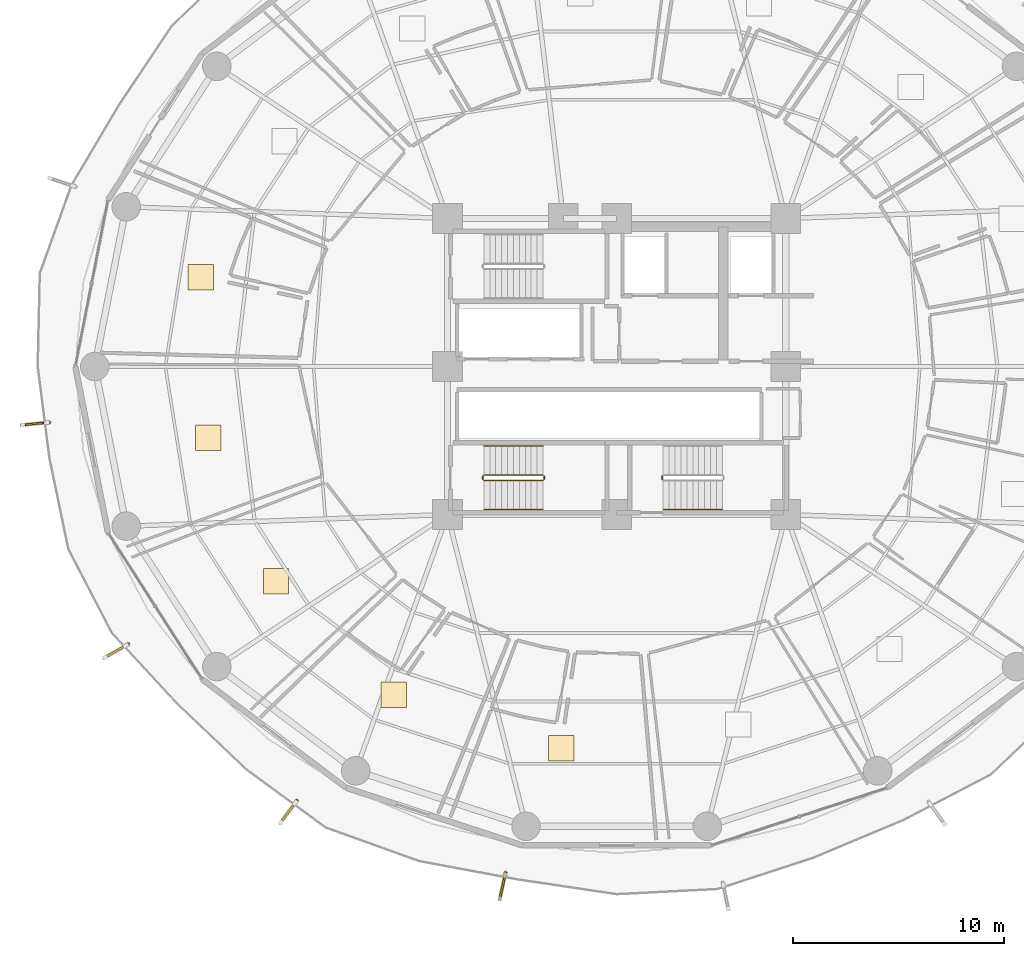
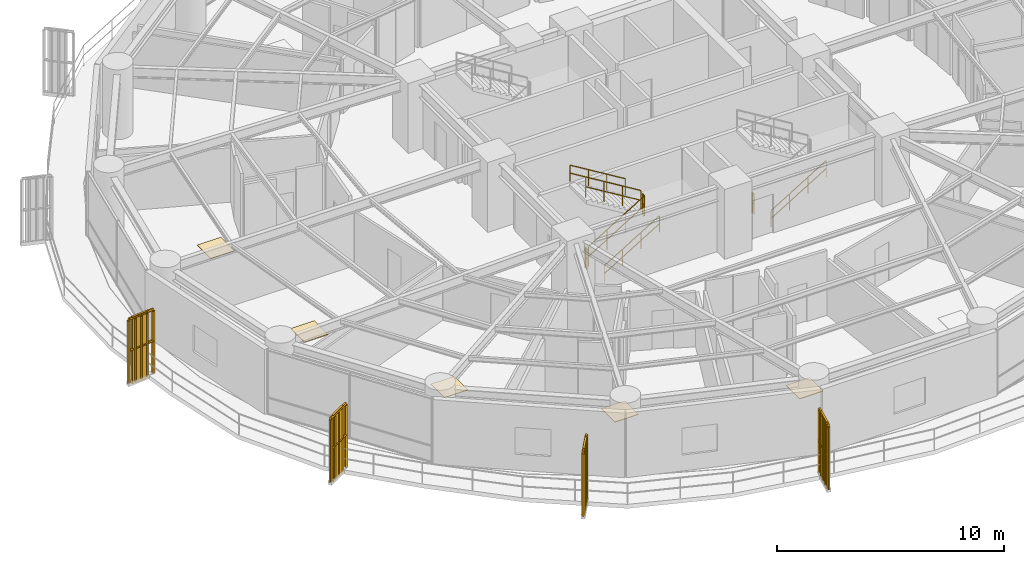
# One storey, part 30 of 33: 12 railings, 5 coverings, 4 shading devices.
"""IFC4 building model written with IfcOpenShell, lengths in metres."""

import ifcopenshell
import ifcopenshell.guid

model = None  # the IFC model being written
_history = None  # IfcOwnerHistory: only IFC2X3 demands one
_inside = {}  # id of a spatial element -> (the spatial element, [elements in it])
_under = {}  # id of a project, library or spatial element -> (it, [spatial elements below it])
_declared = {}  # id of a project -> (the project, [libraries it declares])
_typed = {}  # id of a type object -> (the type object, [elements of that type])
_made_of = {}  # id of a material, layer set ... -> (it, [elements and type objects made of it])


def new_model(schema):
    """Start an empty IFC model of exactly this schema.

    Asked for "IFC4X3", IfcOpenShell would pick the latest addendum, in which some entities
    have other attributes; the version numbers below select the first issue.
    IFC2X3 requires an IfcOwnerHistory on every rooted entity: one is made here for all.
    """
    global model, _history
    if schema == "IFC4X3":
        model = ifcopenshell.file(schema_version=(4, 3, 0, 0))
    else:
        model = ifcopenshell.file(schema=schema)
    _inside.clear()
    _under.clear()
    _declared.clear()
    _typed.clear()
    _made_of.clear()
    _history = None
    if model.schema == "IFC2X3":
        org = make("IfcOrganization", Name="unknown")
        user = make(
            "IfcPersonAndOrganization",
            ThePerson=make("IfcPerson", FamilyName="unknown"),
            TheOrganization=org,
        )
        app = make(
            "IfcApplication",
            ApplicationDeveloper=org,
            Version="unknown",
            ApplicationFullName="unknown",
            ApplicationIdentifier="unknown",
        )
        _history = make(
            "IfcOwnerHistory",
            OwningUser=user,
            OwningApplication=app,
            ChangeAction="ADDED",
            CreationDate=0,
        )
    return model


def make(cls, **values):
    """One entity of the class cls with the attributes given. An attribute that is None is left unset."""
    return model.create_entity(
        cls, **{name: value for name, value in values.items() if value is not None}
    )


def rooted(cls, **values):
    """An entity with a GlobalId (a new one), such as an element, a storey or a relation."""
    return make(cls, GlobalId=ifcopenshell.guid.new(), OwnerHistory=_history, **values)


def si_unit(unit_type, name, prefix=None):
    """IfcSIUnit, for example si_unit("LENGTHUNIT", "METRE", prefix="MILLI")."""
    return make("IfcSIUnit", UnitType=unit_type, Prefix=prefix, Name=name)


def assignment(units):
    """IfcUnitAssignment: the units of a project."""
    return None if units is None else make("IfcUnitAssignment", Units=units)


def point(xyz):
    """IfcCartesianPoint."""
    return None if xyz is None else make("IfcCartesianPoint", Coordinates=xyz)


def direction(xyz):
    """IfcDirection."""
    return None if xyz is None else make("IfcDirection", DirectionRatios=xyz)


def frame(location, z_axis=None, x_axis=None):
    """IfcAxis2Placement3D, a coordinate frame: its origin and axes. An axis left out is left unset."""
    return make(
        "IfcAxis2Placement3D",
        Location=point(location),
        Axis=direction(z_axis),
        RefDirection=direction(x_axis),
    )


def frame_2d(location, x_axis=None):
    """IfcAxis2Placement2D, a coordinate frame in the plane: its origin and x axis."""
    return make(
        "IfcAxis2Placement2D", Location=point(location), RefDirection=direction(x_axis)
    )


def origin():
    """The frame at (0, 0, 0) with its axes left unset."""
    return frame((0.0, 0.0, 0.0))


def origin_2d():
    """The frame at (0, 0) in the plane with its x axis left unset."""
    return frame_2d((0.0, 0.0))


def place(relative_to, where):
    """IfcLocalPlacement: puts the frame where relative to a parent placement (None: the world)."""
    return make(
        "IfcLocalPlacement", PlacementRelTo=relative_to, RelativePlacement=where
    )


def context(
    kind, dimensions, precision=None, world=None, true_north=None, identifier=None
):
    """IfcGeometricRepresentationContext, for example the 3D "Model" context."""
    return make(
        "IfcGeometricRepresentationContext",
        ContextIdentifier=identifier,
        ContextType=kind,
        CoordinateSpaceDimension=dimensions,
        Precision=precision,
        WorldCoordinateSystem=world,
        TrueNorth=true_north,
    )


def subcontext(parent, identifier, kind, view, scale=None):
    """IfcGeometricRepresentationSubContext, for example "Body" below "Model"."""
    return make(
        "IfcGeometricRepresentationSubContext",
        ContextIdentifier=identifier,
        ContextType=kind,
        ParentContext=parent,
        TargetScale=scale,
        TargetView=view,
    )


def project(units=None, contexts=None):
    """IfcProject with its units and contexts."""
    return rooted(
        "IfcProject",
        Name="project",
        RepresentationContexts=contexts,
        UnitsInContext=assignment(units),
    )


def spatial(cls, under=None, at=None, **own):
    """A site, building, storey or space (cls), placed at a placement, below another one or the project."""
    s = rooted(cls, ObjectPlacement=at, **own)
    if under is not None:
        _under.setdefault(under.id(), (under, []))[1].append(s)
    return s


def polyline(points):
    """IfcPolyline through the points."""
    return make("IfcPolyline", Points=[point(p) for p in points])


def profile(cls, at=None, kind="AREA", **sizes):
    """A parametric profile (cls). Its sizes go by their IFC names, for example OverallWidth=200.0."""
    return make(cls, ProfileType=kind, Position=at, **sizes)


def rectangle(**sizes):
    """IfcRectangleProfileDef."""
    return profile("IfcRectangleProfileDef", **sizes)


def outline(outer, holes=None, kind="AREA"):
    """IfcArbitraryClosedProfileDef: a profile drawn as a closed curve; with holes, ...WithVoids."""
    if holes is None:
        return make("IfcArbitraryClosedProfileDef", ProfileType=kind, OuterCurve=outer)
    return make(
        "IfcArbitraryProfileDefWithVoids",
        ProfileType=kind,
        OuterCurve=outer,
        InnerCurves=holes,
    )


def extrude(swept, where, along, depth):
    """IfcExtrudedAreaSolid: the profile swept, set in the frame where, extruded along a direction by depth."""
    return make(
        "IfcExtrudedAreaSolid",
        SweptArea=swept,
        Position=where,
        ExtrudedDirection=direction(along),
        Depth=depth,
    )


def shape(context_of_items, identifier, shape_type, items):
    """IfcShapeRepresentation: the items that make up one representation, for example the "Body"."""
    return make(
        "IfcShapeRepresentation",
        ContextOfItems=context_of_items,
        RepresentationIdentifier=identifier,
        RepresentationType=shape_type,
        Items=items,
    )


def source(mapping_origin, context_of_items, identifier, shape_type, items):
    """IfcRepresentationMap: a shape defined once, which mapped items show again and again."""
    return make(
        "IfcRepresentationMap",
        MappingOrigin=mapping_origin,
        MappedRepresentation=shape(context_of_items, identifier, shape_type, items),
    )


def transform(
    local_origin,
    x_axis=None,
    y_axis=None,
    z_axis=None,
    scale=None,
    scale2=None,
    scale3=None,
    uniform=True,
):
    """IfcCartesianTransformationOperator3D, or its non-uniform kind. x_axis, y_axis, z_axis: its Axis1, 2, 3."""
    if uniform:
        return make(
            "IfcCartesianTransformationOperator3D",
            Axis1=direction(x_axis),
            Axis2=direction(y_axis),
            LocalOrigin=point(local_origin),
            Scale=scale,
            Axis3=direction(z_axis),
        )
    return make(
        "IfcCartesianTransformationOperator3DnonUniform",
        Axis1=direction(x_axis),
        Axis2=direction(y_axis),
        LocalOrigin=point(local_origin),
        Scale=scale,
        Axis3=direction(z_axis),
        Scale2=scale2,
        Scale3=scale3,
    )


def mapped(mapping_source, mapping_target):
    """IfcMappedItem: shows the shape of a source again, moved by a transform."""
    return make(
        "IfcMappedItem", MappingSource=mapping_source, MappingTarget=mapping_target
    )


def material(Name=None, Category=None):
    """IfcMaterial."""
    return make("IfcMaterial", Name=Name, Category=Category)


def layer(
    of_material, thickness, ventilated=None, Name=None, Category=None, Priority=None
):
    """IfcMaterialLayer: one layer of a wall or slab, of a material (None: an air gap)."""
    return make(
        "IfcMaterialLayer",
        Material=of_material,
        LayerThickness=thickness,
        IsVentilated=ventilated,
        Name=Name,
        Category=Category,
        Priority=Priority,
    )


def layer_set(layers, Name=None):
    """IfcMaterialLayerSet."""
    return make("IfcMaterialLayerSet", MaterialLayers=layers, LayerSetName=Name)


def made_of(thing, what):
    """Note that an element or type object is made of a material, layer set ...; save() writes the relation."""
    if what is not None:
        _made_of.setdefault(what.id(), (what, []))[1].append(thing)
    return thing


def type_object(cls, material=None, **own):
    """A type object (cls), such as IfcWallType, which elements share."""
    return made_of(rooted(cls, **own), material)


def element(
    cls,
    number,
    at=None,
    inside=None,
    cuts=None,
    type_object=None,
    material=None,
    context=None,
    identifier="Body",
    shape_type=None,
    held_by="IfcProductDefinitionShape",
    body=None,
    shapes=None,
    **own,
):
    """One element of the class cls, such as IfcWall. Its Tag is "e" and its number.

    at: its placement. inside: the storey or other place that contains it. cuts: it is an
    opening in that element (IfcRelVoidsElement). A single representation is given by context,
    identifier, shape_type and body (its items); several are given by shapes. held_by: the class
    of the entity that holds the representations. save() writes the other relations.
    """
    e = rooted(cls, Tag="e%d" % number, ObjectPlacement=at, **own)
    if body is not None:
        shapes = [shape(context, identifier, shape_type, body)]
    if shapes is not None:
        e.Representation = make(held_by, Representations=shapes)
    if inside is not None:
        _inside.setdefault(inside.id(), (inside, []))[1].append(e)
    if cuts is not None:
        rooted(
            "IfcRelVoidsElement", RelatingBuildingElement=cuts, RelatedOpeningElement=e
        )
    if type_object is not None:
        _typed.setdefault(type_object.id(), (type_object, []))[1].append(e)
    return made_of(e, material)


def aggregate(whole, parts):
    """IfcRelAggregates: a whole, such as a stair, and the parts it consists of."""
    return rooted("IfcRelAggregates", RelatingObject=whole, RelatedObjects=parts)


def save(model, path):
    """Write the relations noted so far, then the file.

    IfcRelAggregates (storeys below a building ...), IfcRelContainedInSpatialStructure (elements
    in a storey), IfcRelDefinesByType, IfcRelAssociatesMaterial and IfcRelDeclares: one each for
    every whole, place, type object, material and project.
    """
    for whole, parts in _under.values():
        aggregate(whole, parts)
    for where, things in _inside.values():
        rooted(
            "IfcRelContainedInSpatialStructure",
            RelatedElements=things,
            RelatingStructure=where,
        )
    for kind, things in _typed.values():
        rooted("IfcRelDefinesByType", RelatedObjects=things, RelatingType=kind)
    for what, things in _made_of.values():
        rooted("IfcRelAssociatesMaterial", RelatedObjects=things, RelatingMaterial=what)
    for by, libraries in _declared.values():
        rooted("IfcRelDeclares", RelatingContext=by, RelatedDefinitions=libraries)
    model.write(path)


model = new_model("IFC4")

# Units and contexts
model_context = context("Model", 3, precision=1e-05, world=origin(), true_north=direction((0.0, 1.0)))
body_context = subcontext(model_context, "Body", "Model", "MODEL_VIEW")
ifc_project = project(units=[si_unit("LENGTHUNIT", "METRE"), si_unit("AREAUNIT", "SQUARE_METRE"), si_unit("VOLUMEUNIT", "CUBIC_METRE"), si_unit("PLANEANGLEUNIT", "RADIAN"), si_unit("MASSUNIT", "GRAM", prefix="KILO")], contexts=[model_context])

# Site, building, storey
site_placement = place(None, origin())
site = spatial("IfcSite", under=ifc_project, at=site_placement, CompositionType="ELEMENT")
building_placement = place(site_placement, origin())
building = spatial("IfcBuilding", under=site, at=building_placement, Name="Kelanora Arch Commons", CompositionType="ELEMENT")
storey_placement = place(building_placement, frame((0.0, 0.0, 83.85009765625)))
storey = spatial("IfcBuildingStorey", under=building, at=storey_placement, Name="L21", CompositionType="ELEMENT", Elevation=83.85009765625)

# Railings
ifc_material_1 = material(Name="Anodised bronze vertical shading fin rib assembly")
railing_type_1 = type_object("IfcRailingType", Name="RAIL-FIN-BRZ", PredefinedType="BALUSTRADE", material=ifc_material_1)
railing_1_placement = place(storey_placement, frame((47.1806640625, 55.36083984375, -0.02001953125)))
element("IfcRailing", 1, at=railing_1_placement, inside=storey, type_object=railing_type_1, Name="Sweeping Bronze Vertical Fin Blade L21-06", PredefinedType="BALUSTRADE", context=body_context, shape_type="SweptSolid", body=[
    extrude(outline(polyline([(0.06982421875, 0.0), (0.034912109375, 0.060546875), (-0.034912109375, 0.060546875), (-0.06982421875, 0.0), (-0.034912109375, -0.060546875), (0.034912109375, -0.060546875), (0.06982421875, 0.0)])), frame((0.0, 0.0, 3.419921875), z_axis=(-0.995200359131, -0.097858291343, 0.0), x_axis=(0.097858291343, -0.995200359131, 0.0)), (0.0, 0.0, 1.0), 1.322265625),
    extrude(outline(polyline([(0.06982421875, 0.0), (0.034912109375, 0.060546875), (-0.034912109375, 0.060546875), (-0.06982421875, 0.0), (-0.034912109375, -0.060546875), (0.034912109375, -0.060546875), (0.06982421875, 0.0)])), frame((0.0, 0.0, 1.7451171875), z_axis=(-0.995200359131, -0.097858291343, 0.0), x_axis=(0.097858291343, -0.995200359131, 0.0)), (0.0, 0.0, 1.0), 1.322265625),
    extrude(outline(polyline([(0.080078125, 0.0), (0.0400390625, 0.0693359375), (-0.0400390625, 0.0693359375), (-0.080078125, 0.0), (-0.0400390625, -0.0693359375), (0.0400390625, -0.0693359375), (0.080078125, 0.0)])), origin(), (0.0, 0.0, 1.0), 3.35009765625),
    extrude(outline(polyline([(0.080078125, 0.0), (0.0400390625, 0.0693359375), (-0.0400390625, 0.0693359375), (-0.080078125, 0.0), (-0.0400390625, -0.0693359375), (0.0400390625, -0.0693359375), (0.080078125, 0.0)])), frame((-0.3291015625, -0.0322265625, 0.0)), (0.0, 0.0, 1.0), 3.35009765625),
    extrude(outline(polyline([(0.080078125, 0.0), (0.0400390625, 0.0693359375), (-0.0400390625, 0.0693359375), (-0.080078125, 0.0), (-0.0400390625, -0.0693359375), (0.0400390625, -0.0693359375), (0.080078125, 0.0)])), frame((-0.657958984375, -0.064697265625, 0.0)), (0.0, 0.0, 1.0), 3.35009765625),
    extrude(outline(polyline([(0.080078125, 0.0), (0.0400390625, 0.0693359375), (-0.0400390625, 0.0693359375), (-0.080078125, 0.0), (-0.0400390625, -0.0693359375), (0.0400390625, -0.0693359375), (0.080078125, 0.0)])), frame((-0.98681640625, -0.09716796875, 0.0)), (0.0, 0.0, 1.0), 3.35009765625),
    extrude(outline(polyline([(0.080078125, 0.0), (0.0400390625, 0.0693359375), (-0.0400390625, 0.0693359375), (-0.080078125, 0.0), (-0.0400390625, -0.0693359375), (0.0400390625, -0.0693359375), (0.080078125, 0.0)])), frame((-1.31591796875, -0.12939453125, 0.0)), (0.0, 0.0, 1.0), 3.35009765625),
])
railing_2_placement = place(storey_placement, frame((50.909423828125, 44.8720703125, -0.02001953125)))
element("IfcRailing", 2, at=railing_2_placement, inside=storey, type_object=railing_type_1, Name="Sweeping Bronze Vertical Fin Blade L21-07", PredefinedType="BALUSTRADE", context=body_context, shape_type="SweptSolid", body=[
    extrude(outline(polyline([(0.06982421875, 0.0), (0.034912109375, 0.060546875), (-0.034912109375, 0.060546875), (-0.06982421875, 0.0), (-0.034912109375, -0.060546875), (0.034912109375, -0.060546875), (0.06982421875, 0.0)])), frame((0.0, 0.0, 3.419921875), z_axis=(-0.869297897203, -0.494288545202, 0.0), x_axis=(0.494288545202, -0.869297897203, 0.0)), (0.0, 0.0, 1.0), 1.322265625),
    extrude(outline(polyline([(0.06982421875, 0.0), (0.034912109375, 0.060546875), (-0.034912109375, 0.060546875), (-0.06982421875, 0.0), (-0.034912109375, -0.060546875), (0.034912109375, -0.060546875), (0.06982421875, 0.0)])), frame((0.0, 0.0, 1.7451171875), z_axis=(-0.869297897203, -0.494288545202, 0.0), x_axis=(0.494288545202, -0.869297897203, 0.0)), (0.0, 0.0, 1.0), 1.322265625),
    extrude(outline(polyline([(0.080078125, 0.0), (0.0400390625, 0.0693359375), (-0.0400390625, 0.0693359375), (-0.080078125, 0.0), (-0.0400390625, -0.0693359375), (0.0400390625, -0.0693359375), (0.080078125, 0.0)])), origin(), (0.0, 0.0, 1.0), 3.35009765625),
    extrude(outline(polyline([(0.080078125, 0.0), (0.0400390625, 0.0693359375), (-0.0400390625, 0.0693359375), (-0.080078125, 0.0), (-0.0400390625, -0.0693359375), (0.0400390625, -0.0693359375), (0.080078125, 0.0)])), frame((-0.287353515625, -0.163330078125, 0.0)), (0.0, 0.0, 1.0), 3.35009765625),
    extrude(outline(polyline([(0.080078125, 0.0), (0.0400390625, 0.0693359375), (-0.0400390625, 0.0693359375), (-0.080078125, 0.0), (-0.0400390625, -0.0693359375), (0.0400390625, -0.0693359375), (0.080078125, 0.0)])), frame((-0.57470703125, -0.32666015625, 0.0)), (0.0, 0.0, 1.0), 3.35009765625),
    extrude(outline(polyline([(0.080078125, 0.0), (0.0400390625, 0.0693359375), (-0.0400390625, 0.0693359375), (-0.080078125, 0.0), (-0.0400390625, -0.0693359375), (0.0400390625, -0.0693359375), (0.080078125, 0.0)])), frame((-0.862060546875, -0.490234375, 0.0)), (0.0, 0.0, 1.0), 3.35009765625),
    extrude(outline(polyline([(0.080078125, 0.0), (0.0400390625, 0.0693359375), (-0.0400390625, 0.0693359375), (-0.080078125, 0.0), (-0.0400390625, -0.0693359375), (0.0400390625, -0.0693359375), (0.080078125, 0.0)])), frame((-1.1494140625, -0.653564453125, 0.0)), (0.0, 0.0, 1.0), 3.35009765625),
])
railing_3_placement = place(storey_placement, frame((58.876953125, 37.47265625, -0.02001953125)))
element("IfcRailing", 3, at=railing_3_placement, inside=storey, type_object=railing_type_1, Name="Sweeping Bronze Vertical Fin Blade L21-08", PredefinedType="BALUSTRADE", context=body_context, shape_type="SweptSolid", body=[
    extrude(outline(polyline([(0.06982421875, 0.0), (0.034912109375, 0.060546875), (-0.034912109375, 0.060546875), (-0.06982421875, 0.0), (-0.034912109375, -0.060546875), (0.034912109375, -0.060546875), (0.06982421875, 0.0)])), frame((0.0, 0.0, 3.419921875), z_axis=(-0.593154955912, -0.805088317066, 0.0), x_axis=(0.805088317066, -0.593154955912, 0.0)), (0.0, 0.0, 1.0), 1.322509765625),
    extrude(outline(polyline([(0.06982421875, 0.0), (0.034912109375, 0.060546875), (-0.034912109375, 0.060546875), (-0.06982421875, 0.0), (-0.034912109375, -0.060546875), (0.034912109375, -0.060546875), (0.06982421875, 0.0)])), frame((0.0, 0.0, 1.7451171875), z_axis=(-0.593154955912, -0.805088317066, 0.0), x_axis=(0.805088317066, -0.593154955912, 0.0)), (0.0, 0.0, 1.0), 1.322509765625),
    extrude(outline(polyline([(0.080078125, 0.0), (0.0400390625, 0.0693359375), (-0.0400390625, 0.0693359375), (-0.080078125, 0.0), (-0.0400390625, -0.0693359375), (0.0400390625, -0.0693359375), (0.080078125, 0.0)])), origin(), (0.0, 0.0, 1.0), 3.35009765625),
    extrude(outline(polyline([(0.080078125, 0.0), (0.0400390625, 0.0693359375), (-0.0400390625, 0.0693359375), (-0.080078125, 0.0), (-0.0400390625, -0.0693359375), (0.0400390625, -0.0693359375), (0.080078125, 0.0)])), frame((-0.196044921875, -0.26611328125, 0.0)), (0.0, 0.0, 1.0), 3.35009765625),
    extrude(outline(polyline([(0.080078125, 0.0), (0.0400390625, 0.0693359375), (-0.0400390625, 0.0693359375), (-0.080078125, 0.0), (-0.0400390625, -0.0693359375), (0.0400390625, -0.0693359375), (0.080078125, 0.0)])), frame((-0.39208984375, -0.5322265625, 0.0)), (0.0, 0.0, 1.0), 3.35009765625),
    extrude(outline(polyline([(0.080078125, 0.0), (0.0400390625, 0.0693359375), (-0.0400390625, 0.0693359375), (-0.080078125, 0.0), (-0.0400390625, -0.0693359375), (0.0400390625, -0.0693359375), (0.080078125, 0.0)])), frame((-0.58837890625, -0.798583984375, 0.0)), (0.0, 0.0, 1.0), 3.35009765625),
    extrude(outline(polyline([(0.080078125, 0.0), (0.0400390625, 0.0693359375), (-0.0400390625, 0.0693359375), (-0.080078125, 0.0), (-0.0400390625, -0.0693359375), (0.0400390625, -0.0693359375), (0.080078125, 0.0)])), frame((-0.784423828125, -1.064697265625, 0.0)), (0.0, 0.0, 1.0), 3.35009765625),
])
railing_4_placement = place(storey_placement, frame((68.749267578125, 34.078369140625, -0.02001953125)))
element("IfcRailing", 4, at=railing_4_placement, inside=storey, type_object=railing_type_1, Name="Sweeping Bronze Vertical Fin Blade L21-09", PredefinedType="BALUSTRADE", context=body_context, shape_type="SweptSolid", body=[
    extrude(outline(polyline([(0.06982421875, 0.0), (0.034912109375, 0.060546875), (-0.034912109375, 0.060546875), (-0.06982421875, 0.0), (-0.034912109375, -0.060546875), (0.034912109375, -0.060546875), (0.06982421875, 0.0)])), frame((0.0, 0.0, 3.419921875), z_axis=(-0.214329972515, -0.976761313158, 0.0), x_axis=(0.976761313158, -0.214329972515, 0.0)), (0.0, 0.0, 1.0), 1.322509765625),
    extrude(outline(polyline([(0.06982421875, 0.0), (0.034912109375, 0.060546875), (-0.034912109375, 0.060546875), (-0.06982421875, 0.0), (-0.034912109375, -0.060546875), (0.034912109375, -0.060546875), (0.06982421875, 0.0)])), frame((0.0, 0.0, 1.7451171875), z_axis=(-0.214329972515, -0.976761313158, 0.0), x_axis=(0.976761313158, -0.214329972515, 0.0)), (0.0, 0.0, 1.0), 1.322509765625),
    extrude(outline(polyline([(0.080078125, 0.0), (0.0400390625, 0.0693359375), (-0.0400390625, 0.0693359375), (-0.080078125, 0.0), (-0.0400390625, -0.0693359375), (0.0400390625, -0.0693359375), (0.080078125, 0.0)])), origin(), (0.0, 0.0, 1.0), 3.35009765625),
    extrude(outline(polyline([(0.080078125, 0.0), (0.0400390625, 0.0693359375), (-0.0400390625, 0.0693359375), (-0.080078125, 0.0), (-0.0400390625, -0.0693359375), (0.0400390625, -0.0693359375), (0.080078125, 0.0)])), frame((-0.07080078125, -0.322998046875, 0.0)), (0.0, 0.0, 1.0), 3.35009765625),
    extrude(outline(polyline([(0.080078125, 0.0), (0.0400390625, 0.0693359375), (-0.0400390625, 0.0693359375), (-0.080078125, 0.0), (-0.0400390625, -0.0693359375), (0.0400390625, -0.0693359375), (0.080078125, 0.0)])), frame((-0.1416015625, -0.64599609375, 0.0)), (0.0, 0.0, 1.0), 3.35009765625),
    extrude(outline(polyline([(0.080078125, 0.0), (0.0400390625, 0.0693359375), (-0.0400390625, 0.0693359375), (-0.080078125, 0.0), (-0.0400390625, -0.0693359375), (0.0400390625, -0.0693359375), (0.080078125, 0.0)])), frame((-0.212646484375, -0.96875, 0.0)), (0.0, 0.0, 1.0), 3.35009765625),
    extrude(outline(polyline([(0.080078125, 0.0), (0.0400390625, 0.0693359375), (-0.0400390625, 0.0693359375), (-0.080078125, 0.0), (-0.0400390625, -0.0693359375), (0.0400390625, -0.0693359375), (0.080078125, 0.0)])), frame((-0.283447265625, -1.291748046875, 0.0)), (0.0, 0.0, 1.0), 3.35009765625),
])
ifc_material_2 = material(Name="Painted steel stair well guard", Category="steel")
railing_type_2 = type_object("IfcRailingType", Name="RAIL-STAIR-GRD", PredefinedType="GUARDRAIL", material=ifc_material_2)
railing_5_placement = place(storey_placement, frame((76.14990234375, 52.659912109375, 0.0)))
element("IfcRailing", 5, at=railing_5_placement, inside=storey, type_object=railing_type_2, Name="L21 ST-T2 stair guard 4", PredefinedType="GUARDRAIL", context=body_context, shape_type="SweptSolid", body=[
    extrude(outline(polyline([(0.02392578125, 0.0), (0.011962890625, 0.020751953125), (-0.011962890625, 0.020751953125), (-0.02392578125, 0.0), (-0.011962890625, -0.020751953125), (0.011962890625, -0.020751953125), (0.02392578125, 0.0)])), frame((0.0, 0.0, 1.076171875), z_axis=(0.0, 1.0, 0.0), x_axis=(-1.0, 0.0, 0.0)), (0.0, 0.0, 1.0), 0.150146484375),
    extrude(outline(polyline([(0.02392578125, 0.0), (0.011962890625, 0.020751953125), (-0.011962890625, 0.020751953125), (-0.02392578125, 0.0), (-0.011962890625, -0.020751953125), (0.011962890625, -0.020751953125), (0.02392578125, 0.0)])), frame((0.0, 0.0, 0.550048828125), z_axis=(0.0, 1.0, 0.0), x_axis=(-1.0, 0.0, 0.0)), (0.0, 0.0, 1.0), 0.150146484375),
    extrude(outline(polyline([(0.02099609375, 0.0), (0.010498046875, 0.01806640625), (-0.010498046875, 0.01806640625), (-0.02099609375, 0.0), (-0.010498046875, -0.01806640625), (0.010498046875, -0.01806640625), (0.02099609375, 0.0)])), origin(), (0.0, 0.0, 1.0), 1.052001953125),
    extrude(outline(polyline([(0.02099609375, 0.0), (0.010498046875, 0.01806640625), (-0.010498046875, 0.01806640625), (-0.02099609375, 0.0), (-0.010498046875, -0.01806640625), (0.010498046875, -0.01806640625), (0.02099609375, 0.0)])), frame((0.0, 0.150146484375, 0.0)), (0.0, 0.0, 1.0), 1.052001953125),
])
railing_6_placement = place(storey_placement, frame((67.719970703125, 52.610107421875, 0.17041015625)))
element("IfcRailing", 6, at=railing_6_placement, inside=storey, type_object=railing_type_2, Name="L21 ST-T3 stair guard 1", PredefinedType="GUARDRAIL", context=body_context, shape_type="SweptSolid", body=[
    extrude(outline(polyline([(0.02392578125, 0.0), (0.011962890625, 0.020751953125), (-0.011962890625, 0.020751953125), (-0.02392578125, 0.0), (-0.011962890625, -0.020751953125), (0.011962890625, -0.020751953125), (0.02392578125, 0.0)])), frame((0.0, 0.0, 1.076171875), z_axis=(0.854169791009, 0.0, 0.51999420009), x_axis=(0.0, 1.0, 0.0)), (0.0, 0.0, 1.0), 3.278076171875),
    extrude(outline(polyline([(0.02392578125, 0.0), (0.011962890625, 0.020751953125), (-0.011962890625, 0.020751953125), (-0.02392578125, 0.0), (-0.011962890625, -0.020751953125), (0.011962890625, -0.020751953125), (0.02392578125, 0.0)])), frame((0.0, 0.0, 0.550048828125), z_axis=(0.854169791009, 0.0, 0.51999420009), x_axis=(0.0, 1.0, 0.0)), (0.0, 0.0, 1.0), 3.278076171875),
    extrude(outline(polyline([(0.02099609375, 0.0), (0.010498046875, 0.01806640625), (-0.010498046875, 0.01806640625), (-0.02099609375, 0.0), (-0.010498046875, -0.01806640625), (0.010498046875, -0.01806640625), (0.02099609375, 0.0)])), origin(), (0.0, 0.0, 1.0), 1.052001953125),
    extrude(outline(polyline([(0.02099609375, 0.0), (0.010498046875, 0.01806640625), (-0.010498046875, 0.01806640625), (-0.02099609375, 0.0), (-0.010498046875, -0.01806640625), (0.010498046875, -0.01806640625), (0.02099609375, 0.0)])), frame((0.933349609375, 0.0, 0.568115234375)), (0.0, 0.0, 1.0), 1.052001953125),
    extrude(outline(polyline([(0.02099609375, 0.0), (0.010498046875, 0.01806640625), (-0.010498046875, 0.01806640625), (-0.02099609375, 0.0), (-0.010498046875, -0.01806640625), (0.010498046875, -0.01806640625), (0.02099609375, 0.0)])), frame((1.86669921875, 0.0, 1.136474609375)), (0.0, 0.0, 1.0), 1.052001953125),
    extrude(outline(polyline([(0.02099609375, 0.0), (0.010498046875, 0.01806640625), (-0.010498046875, 0.01806640625), (-0.02099609375, 0.0), (-0.010498046875, -0.01806640625), (0.010498046875, -0.01806640625), (0.02099609375, 0.0)])), frame((2.800048828125, 0.0, 1.70458984375)), (0.0, 0.0, 1.0), 1.052001953125),
])
railing_7_placement = place(storey_placement, frame((70.570068359375, 52.659912109375, 1.875)))
element("IfcRailing", 7, at=railing_7_placement, inside=storey, type_object=railing_type_2, Name="L21 ST-T3 stair guard 2", PredefinedType="GUARDRAIL", context=body_context, shape_type="SweptSolid", body=[
    extrude(outline(polyline([(0.02392578125, 0.0), (0.011962890625, 0.020751953125), (-0.011962890625, 0.020751953125), (-0.02392578125, 0.0), (-0.011962890625, -0.020751953125), (0.011962890625, -0.020751953125), (0.02392578125, 0.0)])), frame((0.0, 0.0, 1.076171875), z_axis=(0.0, 1.0, 0.0), x_axis=(-1.0, 0.0, 0.0)), (0.0, 0.0, 1.0), 0.150146484375),
    extrude(outline(polyline([(0.02392578125, 0.0), (0.011962890625, 0.020751953125), (-0.011962890625, 0.020751953125), (-0.02392578125, 0.0), (-0.011962890625, -0.020751953125), (0.011962890625, -0.020751953125), (0.02392578125, 0.0)])), frame((0.0, 0.0, 0.550048828125), z_axis=(0.0, 1.0, 0.0), x_axis=(-1.0, 0.0, 0.0)), (0.0, 0.0, 1.0), 0.150146484375),
    extrude(outline(polyline([(0.02099609375, 0.0), (0.010498046875, 0.01806640625), (-0.010498046875, 0.01806640625), (-0.02099609375, 0.0), (-0.010498046875, -0.01806640625), (0.010498046875, -0.01806640625), (0.02099609375, 0.0)])), origin(), (0.0, 0.0, 1.0), 1.052001953125),
    extrude(outline(polyline([(0.02099609375, 0.0), (0.010498046875, 0.01806640625), (-0.010498046875, 0.01806640625), (-0.02099609375, 0.0), (-0.010498046875, -0.01806640625), (0.010498046875, -0.01806640625), (0.02099609375, 0.0)])), frame((0.0, 0.150146484375, 0.0)), (0.0, 0.0, 1.0), 1.052001953125),
])
railing_8_placement = place(storey_placement, frame((70.52001953125, 52.860107421875, 2.04541015625)))
element("IfcRailing", 8, at=railing_8_placement, inside=storey, type_object=railing_type_2, Name="L21 ST-T3 stair guard 3", PredefinedType="GUARDRAIL", context=body_context, shape_type="SweptSolid", body=[
    extrude(outline(polyline([(0.02392578125, 0.0), (0.011962890625, 0.020751953125), (-0.011962890625, 0.020751953125), (-0.02392578125, 0.0), (-0.011962890625, -0.020751953125), (0.011962890625, -0.020751953125), (0.02392578125, 0.0)])), frame((0.0, 0.0, 1.076171875), z_axis=(-0.854169791009, 0.0, 0.51999420009), x_axis=(0.0, -1.0, 0.0)), (0.0, 0.0, 1.0), 3.278076171875),
    extrude(outline(polyline([(0.02392578125, 0.0), (0.011962890625, 0.020751953125), (-0.011962890625, 0.020751953125), (-0.02392578125, 0.0), (-0.011962890625, -0.020751953125), (0.011962890625, -0.020751953125), (0.02392578125, 0.0)])), frame((0.0, 0.0, 0.550048828125), z_axis=(-0.854169791009, 0.0, 0.51999420009), x_axis=(0.0, -1.0, 0.0)), (0.0, 0.0, 1.0), 3.278076171875),
    extrude(outline(polyline([(0.02099609375, 0.0), (0.010498046875, 0.01806640625), (-0.010498046875, 0.01806640625), (-0.02099609375, 0.0), (-0.010498046875, -0.01806640625), (0.010498046875, -0.01806640625), (0.02099609375, 0.0)])), origin(), (0.0, 0.0, 1.0), 1.052001953125),
    extrude(outline(polyline([(0.02099609375, 0.0), (0.010498046875, 0.01806640625), (-0.010498046875, 0.01806640625), (-0.02099609375, 0.0), (-0.010498046875, -0.01806640625), (0.010498046875, -0.01806640625), (0.02099609375, 0.0)])), frame((-0.933349609375, 0.0, 0.568115234375)), (0.0, 0.0, 1.0), 1.052001953125),
    extrude(outline(polyline([(0.02099609375, 0.0), (0.010498046875, 0.01806640625), (-0.010498046875, 0.01806640625), (-0.02099609375, 0.0), (-0.010498046875, -0.01806640625), (0.010498046875, -0.01806640625), (0.02099609375, 0.0)])), frame((-1.86669921875, 0.0, 1.136474609375)), (0.0, 0.0, 1.0), 1.052001953125),
    extrude(outline(polyline([(0.02099609375, 0.0), (0.010498046875, 0.01806640625), (-0.010498046875, 0.01806640625), (-0.02099609375, 0.0), (-0.010498046875, -0.01806640625), (0.010498046875, -0.01806640625), (0.02099609375, 0.0)])), frame((-2.800048828125, 0.0, 1.70458984375)), (0.0, 0.0, 1.0), 1.052001953125),
])
railing_9_placement = place(storey_placement, frame((67.669921875, 52.659912109375, 0.0)))
element("IfcRailing", 9, at=railing_9_placement, inside=storey, type_object=railing_type_2, Name="L21 ST-T3 stair guard 4", PredefinedType="GUARDRAIL", context=body_context, shape_type="SweptSolid", body=[
    extrude(outline(polyline([(0.02392578125, 0.0), (0.011962890625, 0.020751953125), (-0.011962890625, 0.020751953125), (-0.02392578125, 0.0), (-0.011962890625, -0.020751953125), (0.011962890625, -0.020751953125), (0.02392578125, 0.0)])), frame((0.0, 0.0, 1.076171875), z_axis=(0.0, 1.0, 0.0), x_axis=(-1.0, 0.0, 0.0)), (0.0, 0.0, 1.0), 0.150146484375),
    extrude(outline(polyline([(0.02392578125, 0.0), (0.011962890625, 0.020751953125), (-0.011962890625, 0.020751953125), (-0.02392578125, 0.0), (-0.011962890625, -0.020751953125), (0.011962890625, -0.020751953125), (0.02392578125, 0.0)])), frame((0.0, 0.0, 0.550048828125), z_axis=(0.0, 1.0, 0.0), x_axis=(-1.0, 0.0, 0.0)), (0.0, 0.0, 1.0), 0.150146484375),
    extrude(outline(polyline([(0.02099609375, 0.0), (0.010498046875, 0.01806640625), (-0.010498046875, 0.01806640625), (-0.02099609375, 0.0), (-0.010498046875, -0.01806640625), (0.010498046875, -0.01806640625), (0.02099609375, 0.0)])), origin(), (0.0, 0.0, 1.0), 1.052001953125),
    extrude(outline(polyline([(0.02099609375, 0.0), (0.010498046875, 0.01806640625), (-0.010498046875, 0.01806640625), (-0.02099609375, 0.0), (-0.010498046875, -0.01806640625), (0.010498046875, -0.01806640625), (0.02099609375, 0.0)])), frame((0.0, 0.150146484375, 0.0)), (0.0, 0.0, 1.0), 1.052001953125),
])
ifc_material_3 = material(Name="Brushed stainless steel stair handrail", Category="steel")
railing_type_3 = type_object("IfcRailingType", Name="RAIL-STAIR-HND", PredefinedType="HANDRAIL", material=ifc_material_3)
railing_10_placement = place(storey_placement, frame((76.199951171875, 51.22998046875, 0.17041015625)))
element("IfcRailing", 10, at=railing_10_placement, inside=storey, type_object=railing_type_3, Name="L21 ST-T2 stair handrail 1", PredefinedType="HANDRAIL", context=body_context, shape_type="SweptSolid", body=[
    extrude(outline(polyline([(0.02392578125, 0.0), (0.011962890625, 0.020751953125), (-0.011962890625, 0.020751953125), (-0.02392578125, 0.0), (-0.011962890625, -0.020751953125), (0.011962890625, -0.020751953125), (0.02392578125, 0.0)])), frame((0.0, 0.0, 0.8759765625), z_axis=(0.854169791009, 0.0, 0.51999420009), x_axis=(0.0, 1.0, 0.0)), (0.0, 0.0, 1.0), 3.278076171875),
    extrude(outline(polyline([(0.02392578125, 0.0), (0.011962890625, 0.020751953125), (-0.011962890625, 0.020751953125), (-0.02392578125, 0.0), (-0.011962890625, -0.020751953125), (0.011962890625, -0.020751953125), (0.02392578125, 0.0)])), frame((0.0, 0.0, 0.449951171875), z_axis=(0.854169791009, 0.0, 0.51999420009), x_axis=(0.0, 1.0, 0.0)), (0.0, 0.0, 1.0), 3.278076171875),
    extrude(outline(polyline([(0.02099609375, 0.0), (0.010498046875, 0.01806640625), (-0.010498046875, 0.01806640625), (-0.02099609375, 0.0), (-0.010498046875, -0.01806640625), (0.010498046875, -0.01806640625), (0.02099609375, 0.0)])), origin(), (0.0, 0.0, 1.0), 0.851806640625),
    extrude(outline(polyline([(0.02099609375, 0.0), (0.010498046875, 0.01806640625), (-0.010498046875, 0.01806640625), (-0.02099609375, 0.0), (-0.010498046875, -0.01806640625), (0.010498046875, -0.01806640625), (0.02099609375, 0.0)])), frame((0.933349609375, 0.0, 0.568115234375)), (0.0, 0.0, 1.0), 0.851806640625),
    extrude(outline(polyline([(0.02099609375, 0.0), (0.010498046875, 0.01806640625), (-0.010498046875, 0.01806640625), (-0.02099609375, 0.0), (-0.010498046875, -0.01806640625), (0.010498046875, -0.01806640625), (0.02099609375, 0.0)])), frame((1.86669921875, 0.0, 1.136474609375)), (0.0, 0.0, 1.0), 0.851806640625),
    extrude(outline(polyline([(0.02099609375, 0.0), (0.010498046875, 0.01806640625), (-0.010498046875, 0.01806640625), (-0.02099609375, 0.0), (-0.010498046875, -0.01806640625), (0.010498046875, -0.01806640625), (0.02099609375, 0.0)])), frame((2.800048828125, 0.0, 1.70458984375)), (0.0, 0.0, 1.0), 0.851806640625),
])
railing_11_placement = place(storey_placement, frame((67.719970703125, 51.22998046875, 0.17041015625)))
element("IfcRailing", 11, at=railing_11_placement, inside=storey, type_object=railing_type_3, Name="L21 ST-T3 stair handrail 1", PredefinedType="HANDRAIL", context=body_context, shape_type="SweptSolid", body=[
    extrude(outline(polyline([(0.02392578125, 0.0), (0.011962890625, 0.020751953125), (-0.011962890625, 0.020751953125), (-0.02392578125, 0.0), (-0.011962890625, -0.020751953125), (0.011962890625, -0.020751953125), (0.02392578125, 0.0)])), frame((0.0, 0.0, 0.8759765625), z_axis=(0.854169791009, 0.0, 0.51999420009), x_axis=(0.0, 1.0, 0.0)), (0.0, 0.0, 1.0), 3.278076171875),
    extrude(outline(polyline([(0.02392578125, 0.0), (0.011962890625, 0.020751953125), (-0.011962890625, 0.020751953125), (-0.02392578125, 0.0), (-0.011962890625, -0.020751953125), (0.011962890625, -0.020751953125), (0.02392578125, 0.0)])), frame((0.0, 0.0, 0.449951171875), z_axis=(0.854169791009, 0.0, 0.51999420009), x_axis=(0.0, 1.0, 0.0)), (0.0, 0.0, 1.0), 3.278076171875),
    extrude(outline(polyline([(0.02099609375, 0.0), (0.010498046875, 0.01806640625), (-0.010498046875, 0.01806640625), (-0.02099609375, 0.0), (-0.010498046875, -0.01806640625), (0.010498046875, -0.01806640625), (0.02099609375, 0.0)])), origin(), (0.0, 0.0, 1.0), 0.851806640625),
    extrude(outline(polyline([(0.02099609375, 0.0), (0.010498046875, 0.01806640625), (-0.010498046875, 0.01806640625), (-0.02099609375, 0.0), (-0.010498046875, -0.01806640625), (0.010498046875, -0.01806640625), (0.02099609375, 0.0)])), frame((0.933349609375, 0.0, 0.568115234375)), (0.0, 0.0, 1.0), 0.851806640625),
    extrude(outline(polyline([(0.02099609375, 0.0), (0.010498046875, 0.01806640625), (-0.010498046875, 0.01806640625), (-0.02099609375, 0.0), (-0.010498046875, -0.01806640625), (0.010498046875, -0.01806640625), (0.02099609375, 0.0)])), frame((1.86669921875, 0.0, 1.136474609375)), (0.0, 0.0, 1.0), 0.851806640625),
    extrude(outline(polyline([(0.02099609375, 0.0), (0.010498046875, 0.01806640625), (-0.010498046875, 0.01806640625), (-0.02099609375, 0.0), (-0.010498046875, -0.01806640625), (0.010498046875, -0.01806640625), (0.02099609375, 0.0)])), frame((2.800048828125, 0.0, 1.70458984375)), (0.0, 0.0, 1.0), 0.851806640625),
])
railing_12_placement = place(storey_placement, frame((70.52001953125, 54.239990234375, 2.04541015625)))
element("IfcRailing", 12, at=railing_12_placement, inside=storey, type_object=railing_type_3, Name="L21 ST-T3 stair handrail 2", PredefinedType="HANDRAIL", context=body_context, shape_type="SweptSolid", body=[
    extrude(outline(polyline([(0.02392578125, 0.0), (0.011962890625, 0.020751953125), (-0.011962890625, 0.020751953125), (-0.02392578125, 0.0), (-0.011962890625, -0.020751953125), (0.011962890625, -0.020751953125), (0.02392578125, 0.0)])), frame((0.0, 0.0, 0.8759765625), z_axis=(-0.854169791009, 0.0, 0.51999420009), x_axis=(0.0, -1.0, 0.0)), (0.0, 0.0, 1.0), 3.278076171875),
    extrude(outline(polyline([(0.02392578125, 0.0), (0.011962890625, 0.020751953125), (-0.011962890625, 0.020751953125), (-0.02392578125, 0.0), (-0.011962890625, -0.020751953125), (0.011962890625, -0.020751953125), (0.02392578125, 0.0)])), frame((0.0, 0.0, 0.449951171875), z_axis=(-0.854169791009, 0.0, 0.51999420009), x_axis=(0.0, -1.0, 0.0)), (0.0, 0.0, 1.0), 3.278076171875),
    extrude(outline(polyline([(0.02099609375, 0.0), (0.010498046875, 0.01806640625), (-0.010498046875, 0.01806640625), (-0.02099609375, 0.0), (-0.010498046875, -0.01806640625), (0.010498046875, -0.01806640625), (0.02099609375, 0.0)])), origin(), (0.0, 0.0, 1.0), 0.851806640625),
    extrude(outline(polyline([(0.02099609375, 0.0), (0.010498046875, 0.01806640625), (-0.010498046875, 0.01806640625), (-0.02099609375, 0.0), (-0.010498046875, -0.01806640625), (0.010498046875, -0.01806640625), (0.02099609375, 0.0)])), frame((-0.933349609375, 0.0, 0.568115234375)), (0.0, 0.0, 1.0), 0.851806640625),
    extrude(outline(polyline([(0.02099609375, 0.0), (0.010498046875, 0.01806640625), (-0.010498046875, 0.01806640625), (-0.02099609375, 0.0), (-0.010498046875, -0.01806640625), (0.010498046875, -0.01806640625), (0.02099609375, 0.0)])), frame((-1.86669921875, 0.0, 1.136474609375)), (0.0, 0.0, 1.0), 0.851806640625),
    extrude(outline(polyline([(0.02099609375, 0.0), (0.010498046875, 0.01806640625), (-0.010498046875, 0.01806640625), (-0.02099609375, 0.0), (-0.010498046875, -0.01806640625), (0.010498046875, -0.01806640625), (0.02099609375, 0.0)])), frame((-2.800048828125, 0.0, 1.70458984375)), (0.0, 0.0, 1.0), 0.851806640625),
])

# Shading devices
ifc_material_4 = material(Name="Terracotta ceramic-clad extruded aluminium fin", Category="masonry")
shading_device_type = type_object("IfcShadingDeviceType", Name="SHD-FIN-FLARE", PredefinedType="USERDEFINED", material=ifc_material_4)
shared_shape_1 = source(origin(), body_context, "Body", "SweptSolid", [
    extrude(rectangle(XDim=0.8798828125, YDim=0.090087890625, at=origin_2d()), origin(), (0.0, 0.0, 1.0), 3.610107421875),
])
for number, where, z_axis, x_axis, name in (
    (13, (46.464111328125, 55.290283203125, -0.14013671875), (0.0, 0.0, 1.0), (-0.995193276492, -0.097930293706, 0.0), "Sweeping Terracotta Fin L21-06"),
    (14, (50.283447265625, 44.51611328125, -0.14013671875), (0.0, 0.0, 1.0), (-0.869322458298, -0.494245347472, 0.0), "Sweeping Terracotta Fin L21-07"),
    (15, (58.449951171875, 36.892822265625, -0.14013671875), (0.0, 0.0, 1.0), (-0.593137889518, -0.805100890583, 0.0), "Sweeping Terracotta Fin L21-08"),
    (16, (68.594970703125, 33.375, -0.14013671875), (0.0, 0.0, 1.0), (-0.214394391152, -0.9767471756, 0.0), "Sweeping Terracotta Fin L21-09"),
):
    element("IfcShadingDevice", number, at=place(storey_placement, frame(where, z_axis=z_axis, x_axis=x_axis)), inside=storey, type_object=shading_device_type, Name=name, ObjectType="FIN", PredefinedType="USERDEFINED", context=body_context, shape_type="MappedRepresentation", body=[
        mapped(shared_shape_1, transform((0.0, 0.0, 0.0), scale=1.0)),
    ])

# Coverings
ifc_material_5 = material(Name="Polished local granite terrazzo flooring", Category="masonry")
ifc_layer = layer(ifc_material_5, 0.030029296875)
ifc_layer_set = layer_set([ifc_layer], Name="Polished local granite terrazzo flooring")
covering_type = type_object("IfcCoveringType", Name="COV-FLR-TER", PredefinedType="FLOORING", material=ifc_layer_set)
shared_shape_2 = source(origin(), body_context, "Body", "SweptSolid", [
    extrude(rectangle(XDim=1.199951171875, YDim=1.199951171875, at=origin_2d()), origin(), (0.0, 0.0, 1.0), 0.030029296875),
])
for number, where, z_axis, x_axis, name in (
    (17, (54.328857421875, 62.2255859375, 0.0), (0.0, 0.0, 1.0), (1.0, 0.0, 0.0), "Co-Living Studio L21-07 Terrazzo Finish"),
    (18, (54.695068359375, 54.62158203125, 0.0), (0.0, 0.0, 1.0), (1.0, 0.0, 0.0), "Quiet Seminar Study Room L21-08 Terrazzo Finish"),
    (19, (57.890380859375, 47.8447265625, 0.0), (0.0, 0.0, 1.0), (1.0, 0.0, 0.0), "Communal Dining and Social Hall L21-09 Terrazzo Finish"),
    (20, (63.453125, 42.469970703125, 0.0), (0.0, 0.0, 1.0), (1.0, 0.0, 0.0), "Co-Living Studio L21-10 Terrazzo Finish"),
    (21, (71.384033203125, 39.95263671875, 0.0), (0.0, 0.0, 1.0), (1.0, 0.0, 0.0), "Co-Living Studio L21-11 Terrazzo Finish"),
):
    element("IfcCovering", number, at=place(storey_placement, frame(where, z_axis=z_axis, x_axis=x_axis)), inside=storey, type_object=covering_type, Name=name, PredefinedType="FLOORING", context=body_context, shape_type="MappedRepresentation", body=[
        mapped(shared_shape_2, transform((0.0, 0.0, 0.0), scale=1.0)),
    ])

save(model, "model.ifc")
